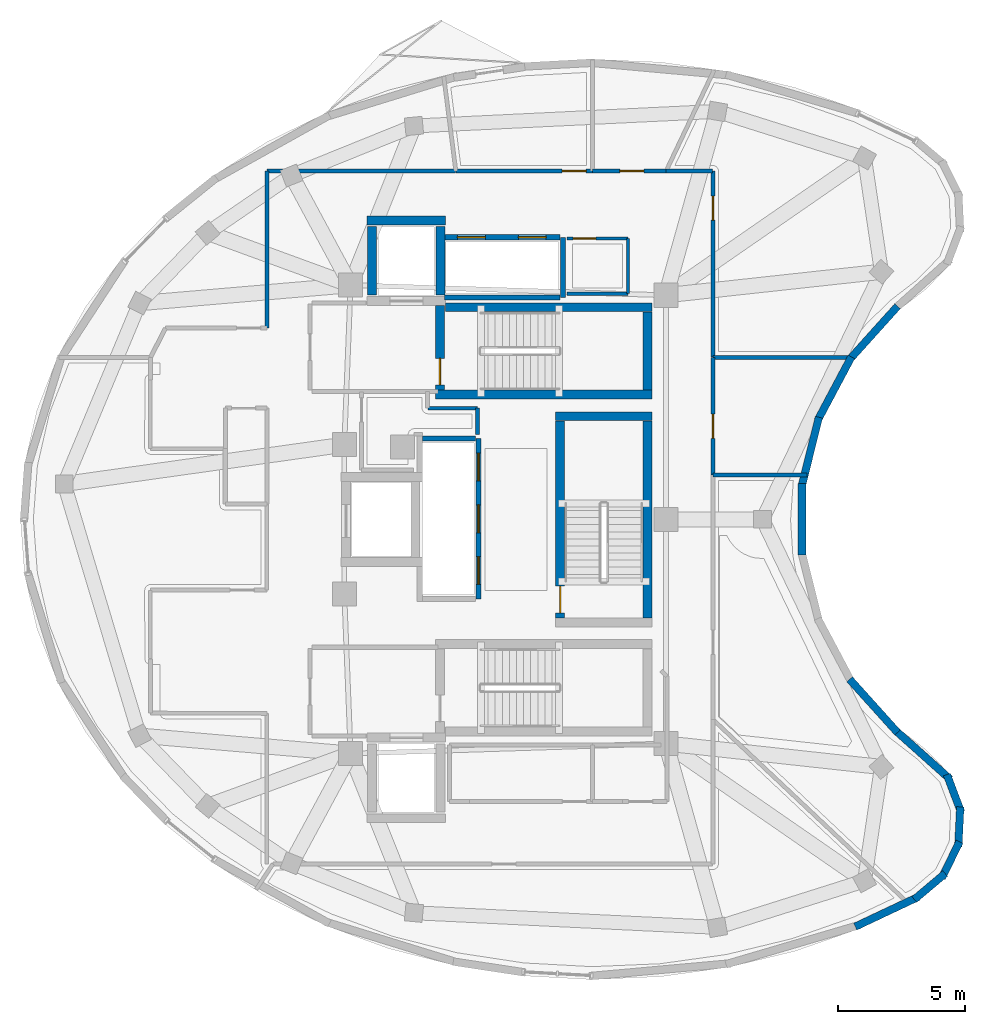
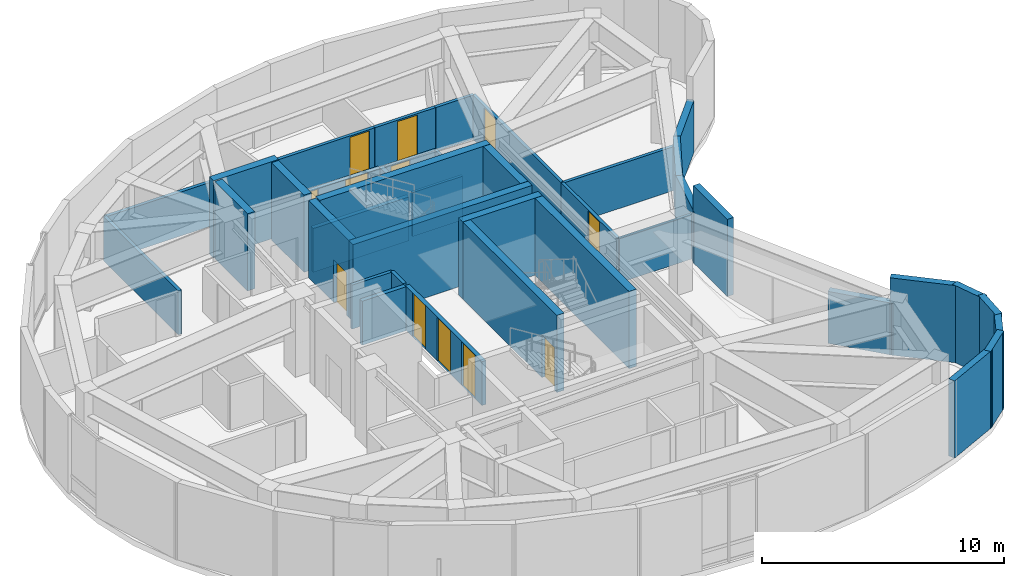
# One storey, part 5 of 8: 40 walls, 12 doors, 12 openings.
"""IFC4 building model written with IfcOpenShell, lengths in metres."""

from ifc_helpers import new_model, si_unit, direction, frame, frame_2d, origin, place, context, subcontext, project, spatial, rectangle, extrude, material, layer, layer_set, type_object, element, fill, save


model = new_model("IFC4")

# Units and contexts
model_context = context("Model", 3, precision=1e-05, world=origin(), true_north=direction((0.0, 1.0)))
body_context = subcontext(model_context, "Body", "Model", "MODEL_VIEW")
ifc_project = project(units=[si_unit("LENGTHUNIT", "METRE"), si_unit("AREAUNIT", "SQUARE_METRE"), si_unit("VOLUMEUNIT", "CUBIC_METRE"), si_unit("PLANEANGLEUNIT", "RADIAN"), si_unit("MASSUNIT", "GRAM", prefix="KILO")], contexts=[model_context])

# Site, building, storey
site_placement = place(None, origin())
site = spatial("IfcSite", under=ifc_project, at=site_placement, CompositionType="ELEMENT")
building_placement = place(site_placement, origin())
building = spatial("IfcBuilding", under=site, at=building_placement, Name="Korentha Bioscience Tower", CompositionType="ELEMENT")
storey_placement = place(building_placement, frame((0.0, 0.0, 314.39990234375)))
storey = spatial("IfcBuildingStorey", under=building, at=storey_placement, Name="L72", CompositionType="ELEMENT", Elevation=314.39990234375)

# Wall, opening, door
ifc_material_1 = material(Name="Double-Stud Acoustic Gypsum", Category="gypsum")
ifc_layer_1 = layer(ifc_material_1, 0.14990234375, Name="Double-Stud Acoustic Gypsum")
ifc_layer_set_1 = layer_set([ifc_layer_1], Name="Double-Stud Acoustic Gypsum (IW-L150)")
wall_type_1 = type_object("IfcWallType", Name="Acoustic Laboratory Partition Wall 150", PredefinedType="PARTITIONING", material=ifc_layer_set_1)
wall_1_placement = place(storey_placement, frame((39.409912109375, 28.758056640625, 0.0), z_axis=(0.0, 0.0, 1.0), x_axis=(0.0, 1.0, 0.0)))
wall_1 = element("IfcWall", 1, at=wall_1_placement, inside=storey, type_object=wall_type_1, Name="L72 Summit Keynote Symposium Room 06 Entrance Wall", PredefinedType="PARTITIONING", context=body_context, shape_type="SweptSolid", body=[
    extrude(rectangle(XDim=4.639892578125, YDim=0.14990234375, at=frame_2d((2.31982421875, 0.0))), origin(), (0.0, 0.0, 1.0), 2.22021484375),
])
opening_1_placement = place(wall_1_placement, frame((1.443359375, 0.0, 0.0)))
opening_1 = element("IfcOpeningElement", 2, at=opening_1_placement, cuts=wall_1, Name="Opening ID-10R", PredefinedType="OPENING", context=body_context, shape_type="SweptSolid", body=[
    extrude(rectangle(XDim=0.949951171875, YDim=2.14990234375, at=frame_2d((0.47509765625, 1.074951171875))), frame((0.0, 0.08984375, 0.0), z_axis=(0.0, -1.0, 0.0), x_axis=(1.0, 0.0, 0.0)), (0.0, 0.0, 1.0), 0.1796875),
])
ifc_material_2 = material(Name="Phenolic Laminate Timber Core", Category="wood")
door_type_1 = type_object("IfcDoorType", Name="Laboratory Single Leaf Door 950x2150 Right", OperationType="SINGLE_SWING_RIGHT", PredefinedType="DOOR", material=ifc_material_2)
door_1_placement = place(opening_1_placement, origin())
door_1 = element("IfcDoor", 3, at=door_1_placement, inside=storey, type_object=door_type_1, Name="L72 Summit Keynote Symposium Room 06 Door", OperationType="SINGLE_SWING_RIGHT", OverallHeight=2.14990234375, OverallWidth=0.949951171875, PredefinedType="DOOR", context=body_context, shape_type="SweptSolid", body=[
    extrude(rectangle(XDim=0.949951171875, YDim=2.14990234375, at=frame_2d((0.47509765625, 1.074951171875))), frame((0.0, 0.02490234375, 0.0), z_axis=(0.0, -1.0, 0.0), x_axis=(1.0, 0.0, 0.0)), (0.0, 0.0, 1.0), 0.050048828125),
])
fill(opening_1, door_1)

wall_2_placement = place(storey_placement, frame((39.409912109375, 33.407958984375, 0.0), z_axis=(0.0, 0.0, 1.0), x_axis=(0.0, 1.0, 0.0)))
wall_2 = element("IfcWall", 4, at=wall_2_placement, inside=storey, type_object=wall_type_1, Name="L72 VIP Horizon Reception Suite 07 Entrance Wall", PredefinedType="PARTITIONING", context=body_context, shape_type="SweptSolid", body=[
    extrude(rectangle(XDim=7.342041015625, YDim=0.14990234375, at=frame_2d((3.6708984375, 0.0))), origin(), (0.0, 0.0, 1.0), 2.22021484375),
])
opening_2_placement = place(wall_2_placement, frame((5.404541015625, 0.0, 0.0)))
opening_2 = element("IfcOpeningElement", 5, at=opening_2_placement, cuts=wall_2, Name="Opening ID-10L", PredefinedType="OPENING", context=body_context, shape_type="SweptSolid", body=[
    extrude(rectangle(XDim=0.949951171875, YDim=2.14990234375, at=frame_2d((0.47509765625, 1.074951171875))), frame((0.0, 0.08984375, 0.0), z_axis=(0.0, -1.0, 0.0), x_axis=(1.0, 0.0, 0.0)), (0.0, 0.0, 1.0), 0.1796875),
])
door_type_2 = type_object("IfcDoorType", Name="Laboratory Single Leaf Door 950x2150 Left", OperationType="SINGLE_SWING_LEFT", PredefinedType="DOOR", material=ifc_material_2)
door_2_placement = place(opening_2_placement, origin())
door_2 = element("IfcDoor", 6, at=door_2_placement, inside=storey, type_object=door_type_2, Name="L72 VIP Horizon Reception Suite 07 Door", OperationType="SINGLE_SWING_LEFT", OverallHeight=2.14990234375, OverallWidth=0.949951171875, PredefinedType="DOOR", context=body_context, shape_type="SweptSolid", body=[
    extrude(rectangle(XDim=0.949951171875, YDim=2.14990234375, at=frame_2d((0.47509765625, 1.074951171875))), frame((0.0, 0.02490234375, 0.0), z_axis=(0.0, -1.0, 0.0), x_axis=(1.0, 0.0, 0.0)), (0.0, 0.0, 1.0), 0.050048828125),
])
fill(opening_2, door_2)

wall_3_placement = place(storey_placement, frame((37.55029296875, 40.760009765625, 0.0), z_axis=(0.0, 0.0, 1.0), x_axis=(-1.0, 0.0, 0.0)))
wall_3 = element("IfcWall", 7, at=wall_3_placement, inside=storey, type_object=wall_type_1, Name="L72 Catering Warming Kitchen and Scullery 08 Entrance Wall", PredefinedType="PARTITIONING", context=body_context, shape_type="SweptSolid", body=[
    extrude(rectangle(XDim=2.898193359375, YDim=0.14990234375, at=frame_2d((1.44921875, 0.0))), origin(), (0.0, 0.0, 1.0), 2.22021484375),
])
opening_3_placement = place(wall_3_placement, frame((0.865966796875, 0.0, 0.0)))
opening_3 = element("IfcOpeningElement", 8, at=opening_3_placement, cuts=wall_3, Name="Opening ID-10R", PredefinedType="OPENING", context=body_context, shape_type="SweptSolid", body=[
    extrude(rectangle(XDim=0.949951171875, YDim=2.14990234375, at=frame_2d((0.47509765625, 1.074951171875))), frame((0.0, 0.08984375, 0.0), z_axis=(0.0, -1.0, 0.0), x_axis=(1.0, 0.0, 0.0)), (0.0, 0.0, 1.0), 0.1796875),
])
door_3_placement = place(opening_3_placement, origin())
door_3 = element("IfcDoor", 9, at=door_3_placement, inside=storey, type_object=door_type_1, Name="L72 Catering Warming Kitchen and Scullery 08 Door", OperationType="SINGLE_SWING_RIGHT", OverallHeight=2.14990234375, OverallWidth=0.949951171875, PredefinedType="DOOR", context=body_context, shape_type="SweptSolid", body=[
    extrude(rectangle(XDim=0.949951171875, YDim=2.14990234375, at=frame_2d((0.47509765625, 1.074951171875))), frame((0.0, 0.02490234375, 0.0), z_axis=(0.0, -1.0, 0.0), x_axis=(1.0, 0.0, 0.0)), (0.0, 0.0, 1.0), 0.050048828125),
])
fill(opening_3, door_3)

wall_4_placement = place(storey_placement, frame((34.64208984375, 40.760009765625, 0.0), z_axis=(0.0, 0.0, 1.0), x_axis=(-1.0, 0.0, 0.0)))
wall_4 = element("IfcWall", 10, at=wall_4_placement, inside=storey, type_object=wall_type_1, Name="L72 Observatory Souvenir & Audio-Guide Desk 09 Entrance Wall", PredefinedType="PARTITIONING", context=body_context, shape_type="SweptSolid", body=[
    extrude(rectangle(XDim=5.387451171875, YDim=0.14990234375, at=frame_2d((2.69384765625, 0.0))), origin(), (0.0, 0.0, 1.0), 2.22021484375),
])
opening_4_placement = place(wall_4_placement, frame((0.239990234375, 0.0, 0.0)))
opening_4 = element("IfcOpeningElement", 11, at=opening_4_placement, cuts=wall_4, Name="Opening ID-10L", PredefinedType="OPENING", context=body_context, shape_type="SweptSolid", body=[
    extrude(rectangle(XDim=0.949951171875, YDim=2.14990234375, at=frame_2d((0.47509765625, 1.074951171875))), frame((0.0, 0.08984375, 0.0), z_axis=(0.0, -1.0, 0.0), x_axis=(1.0, 0.0, 0.0)), (0.0, 0.0, 1.0), 0.1796875),
])
door_4_placement = place(opening_4_placement, origin())
door_4 = element("IfcDoor", 12, at=door_4_placement, inside=storey, type_object=door_type_2, Name="L72 Observatory Souvenir & Audio-Guide Desk 09 Door", OperationType="SINGLE_SWING_LEFT", OverallHeight=2.14990234375, OverallWidth=0.949951171875, PredefinedType="DOOR", context=body_context, shape_type="SweptSolid", body=[
    extrude(rectangle(XDim=0.949951171875, YDim=2.14990234375, at=frame_2d((0.47509765625, 1.074951171875))), frame((0.0, 0.02490234375, 0.0), z_axis=(0.0, -1.0, 0.0), x_axis=(1.0, 0.0, 0.0)), (0.0, 0.0, 1.0), 0.050048828125),
])
fill(opening_4, door_4)

# Walls
wall_5_placement = place(storey_placement, frame((39.409912109375, 28.748046875, 0.0), z_axis=(0.0, 0.0, 1.0), x_axis=(1.0, 0.0, 0.0)))
element("IfcWall", 13, at=wall_5_placement, inside=storey, type_object=wall_type_1, Name="L72 Interior Partition 042", PredefinedType="PARTITIONING", context=body_context, shape_type="SweptSolid", body=[
    extrude(rectangle(XDim=3.706298828125, YDim=0.14990234375, at=frame_2d((1.85302734375, 0.0))), origin(), (0.0, 0.0, 1.0), 2.22021484375),
])
wall_6_placement = place(storey_placement, frame((39.409912109375, 33.39794921875, 0.0), z_axis=(0.0, 0.0, 1.0), x_axis=(1.0, 0.0, 0.0)))
element("IfcWall", 14, at=wall_6_placement, inside=storey, type_object=wall_type_1, Name="L72 Interior Partition 043", PredefinedType="PARTITIONING", context=body_context, shape_type="SweptSolid", body=[
    extrude(rectangle(XDim=5.55517578125, YDim=0.14990234375, at=frame_2d((2.777587890625, 0.0))), origin(), (0.0, 0.0, 1.0), 2.22021484375),
])
wall_7_placement = place(storey_placement, frame((39.39990234375, 40.760009765625, 0.0), z_axis=(0.0, 0.0, 1.0), x_axis=(-1.0, 0.0, 0.0)))
element("IfcWall", 15, at=wall_7_placement, inside=storey, type_object=wall_type_1, Name="L72 Interior Partition 044", PredefinedType="PARTITIONING", context=body_context, shape_type="SweptSolid", body=[
    extrude(rectangle(XDim=1.839599609375, YDim=0.14990234375, at=frame_2d((0.919921875, 0.0))), origin(), (0.0, 0.0, 1.0), 2.22021484375),
])
wall_8_placement = place(storey_placement, frame((28.14990234375, 31.389892578125, 0.0), z_axis=(0.0, 0.0, 1.0), x_axis=(1.0, 0.0, 0.0)))
element("IfcWall", 16, at=wall_8_placement, inside=storey, type_object=wall_type_1, Name="L72 Interior Partition 052", PredefinedType="PARTITIONING", context=body_context, shape_type="SweptSolid", body=[
    extrude(rectangle(XDim=1.960205078125, YDim=0.14990234375, at=frame_2d((0.97998046875, 0.0))), origin(), (0.0, 0.0, 1.0), 2.22021484375),
])
wall_9_placement = place(storey_placement, frame((30.110107421875, 31.389892578125, 0.0), z_axis=(0.0, 0.0, 1.0), x_axis=(0.0, -1.0, 0.0)))
element("IfcWall", 17, at=wall_9_placement, inside=storey, type_object=wall_type_1, Name="L72 Interior Partition 053", PredefinedType="PARTITIONING", context=body_context, shape_type="SweptSolid", body=[
    extrude(rectangle(XDim=1.02978515625, YDim=0.14990234375, at=frame_2d((0.514892578125, 0.0))), origin(), (0.0, 0.0, 1.0), 2.22021484375),
])
ifc_material_3 = material(Name="Gypsum-Clad Steel Stud", Category="steel")
ifc_layer_2 = layer(ifc_material_3, 0.159912109375, Name="Gypsum-Clad Steel Stud")
ifc_layer_set_2 = layer_set([ifc_layer_2], Name="Gypsum-Clad Steel Stud (IW-C160)")
wall_type_2 = type_object("IfcWallType", Name="Fire-Rated Corridor Partition Wall 160", PredefinedType="PARTITIONING", material=ifc_layer_set_2)
wall_10_placement = place(storey_placement, frame((29.24462890625, 40.760009765625, 0.0), z_axis=(0.0, 0.0, 1.0), x_axis=(-1.0, 0.0, 0.0)))
element("IfcWall", 18, at=wall_10_placement, inside=storey, type_object=wall_type_2, Name="L72 Interior Partition 048", PredefinedType="PARTITIONING", context=body_context, shape_type="SweptSolid", body=[
    extrude(rectangle(XDim=7.444580078125, YDim=0.159912109375, at=frame_2d((3.72216796875, 0.0))), origin(), (0.0, 0.0, 1.0), 2.22021484375),
])
wall_11_placement = place(storey_placement, frame((21.7900390625, 40.75, 0.0), z_axis=(0.0, 0.0, 1.0), x_axis=(0.0, -1.0, 0.0)))
element("IfcWall", 19, at=wall_11_placement, inside=storey, type_object=wall_type_2, Name="L72 Interior Partition 049", PredefinedType="PARTITIONING", context=body_context, shape_type="SweptSolid", body=[
    extrude(rectangle(XDim=6.18994140625, YDim=0.159912109375, at=frame_2d((3.094970703125, 0.0))), origin(), (0.0, 0.0, 1.0), 2.22021484375),
])
ifc_material_4 = material(Name="Honed Limestone Precast Concrete C40", Category="masonry")
ifc_layer_3 = layer(ifc_material_4, 0.300048828125, Name="Honed Limestone Precast Concrete C40")
ifc_layer_set_3 = layer_set([ifc_layer_3], Name="Honed Limestone Precast Concrete C40 (EW-ST300)")
wall_type_3 = type_object("IfcWallType", Name="Honed Limestone Cavity Spandrel Wall 300", PredefinedType="STANDARD", material=ifc_layer_set_3)
wall_12_placement = place(storey_placement, frame((45.027587890625, 10.917236328125, 0.0), z_axis=(0.0, 0.0, 1.0), x_axis=(0.904397474905, 0.426690997545, 0.0)))
element("IfcWall", 20, at=wall_12_placement, inside=storey, type_object=wall_type_3, Name="L72 Limestone Perimeter Closure Wall 36", PredefinedType="STANDARD", context=body_context, shape_type="SweptSolid", body=[
    extrude(rectangle(XDim=2.76123046875, YDim=0.300048828125, at=frame_2d((1.380615234375, 0.0))), origin(), (0.0, 0.0, 1.0), 3.900146484375),
])
for number, where, z_axis, x_axis, name in (
    (21, (47.361083984375, 11.990234375, 0.0), (0.0, 0.0, 1.0), (0.764911198117, 0.644135745783, 0.0), "L72 Limestone Perimeter Closure Wall 37"),
    (22, (48.444580078125, 12.845703125, 0.0), (0.0, 0.0, 1.0), (0.444199538262, 0.895927882258, 0.0), "L72 Limestone Perimeter Closure Wall 38"),
    (23, (49.096435546875, 14.0625, 0.0), (0.0, 0.0, 1.0), (0.04947778803, 0.998775224208, 0.0), "L72 Limestone Perimeter Closure Wall 39"),
    (24, (49.208251953125, 15.438232421875, 0.0), (0.0, 0.0, 1.0), (-0.353546976078, 0.935416771127, 0.0), "L72 Limestone Perimeter Closure Wall 40"),
):
    element("IfcWall", number, at=place(storey_placement, frame(where, z_axis=z_axis, x_axis=x_axis)), inside=storey, type_object=wall_type_3, Name=name, PredefinedType="STANDARD", context=body_context, shape_type="SweptSolid", body=[
        extrude(rectangle(XDim=1.5888671875, YDim=0.300048828125, at=frame_2d((0.79443359375, 0.0))), origin(), (0.0, 0.0, 1.0), 3.900146484375),
    ])
wall_13_placement = place(storey_placement, frame((48.772216796875, 16.74169921875, 0.0), z_axis=(0.0, 0.0, 1.0), x_axis=(-0.745805540728, 0.666163715178, 0.0)))
element("IfcWall", 25, at=wall_13_placement, inside=storey, type_object=wall_type_3, Name="L72 Limestone Perimeter Closure Wall 41", PredefinedType="STANDARD", context=body_context, shape_type="SweptSolid", body=[
    extrude(rectangle(XDim=2.91845703125, YDim=0.300048828125, at=frame_2d((1.459228515625, 0.0))), origin(), (0.0, 0.0, 1.0), 3.900146484375),
])
wall_14_placement = place(storey_placement, frame((46.697998046875, 18.583984375, 0.0), z_axis=(0.0, 0.0, 1.0), x_axis=(-0.66919836837, 0.743083806694, 0.0)))
element("IfcWall", 26, at=wall_14_placement, inside=storey, type_object=wall_type_3, Name="L72 Limestone Perimeter Closure Wall 43", PredefinedType="STANDARD", context=body_context, shape_type="SweptSolid", body=[
    extrude(rectangle(XDim=2.82861328125, YDim=0.300048828125, at=frame_2d((1.414306640625, 0.0))), origin(), (0.0, 0.0, 1.0), 2.625),
])
wall_15_placement = place(storey_placement, frame((42.92431640625, 25.585693359375, 0.0), z_axis=(0.0, 0.0, 1.0), x_axis=(0.0, 1.0, 0.0)))
element("IfcWall", 27, at=wall_15_placement, inside=storey, type_object=wall_type_3, Name="L72 Limestone Perimeter Closure Wall 49", PredefinedType="STANDARD", context=body_context, shape_type="SweptSolid", body=[
    extrude(rectangle(XDim=2.82861328125, YDim=0.300048828125, at=frame_2d((1.414306640625, 0.0))), origin(), (0.0, 0.0, 1.0), 3.900146484375),
])
for number, where, z_axis, x_axis, name in (
    (28, (42.9091796875, 28.29052734375, 0.0), (0.0, 0.0, 1.0), (0.241926331659, 0.970294620231, 0.0), "L72 Limestone Perimeter Closure Wall 51"),
    (29, (43.548828125, 30.918701171875, 0.0), (0.0, 0.0, 1.0), (0.469445489529, 0.882961455761, 0.0), "L72 Limestone Perimeter Closure Wall 53"),
    (30, (44.80517578125, 33.314208984375, 0.0), (0.0, 0.0, 1.0), (0.66919836837, 0.743083806694, 0.0), "L72 Limestone Perimeter Closure Wall 55"),
):
    element("IfcWall", number, at=place(storey_placement, frame(where, z_axis=z_axis, x_axis=x_axis)), inside=storey, type_object=wall_type_3, Name=name, PredefinedType="STANDARD", context=body_context, shape_type="SweptSolid", body=[
        extrude(rectangle(XDim=2.82861328125, YDim=0.300048828125, at=frame_2d((1.414306640625, 0.0))), origin(), (0.0, 0.0, 1.0), 2.625),
    ])

# Wall, openings, doors
ifc_material_5 = material(Name="Autoclaved Aerated Concrete Block C25", Category="concrete")
ifc_layer_4 = layer(ifc_material_5, 0.199951171875, Name="Autoclaved Aerated Concrete Block C25")
ifc_layer_set_4 = layer_set([ifc_layer_4], Name="Autoclaved Aerated Concrete Block C25 (IW-S200)")
wall_type_4 = type_object("IfcWallType", Name="Lift and Riser Shaft Enclosure Wall 200", PredefinedType="PARTITIONING", material=ifc_layer_set_4)
wall_16_placement = place(storey_placement, frame((30.14990234375, 23.85009765625, 0.0), z_axis=(0.0, 0.0, 1.0), x_axis=(0.0, 1.0, 0.0)))
wall_16 = element("IfcWall", 31, at=wall_16_placement, inside=storey, type_object=wall_type_4, Name="L72 Lift Bank HIGH Shaft Wall +X", PredefinedType="PARTITIONING", context=body_context, shape_type="SweptSolid", body=[
    extrude(rectangle(XDim=6.349853515625, YDim=0.199951171875, at=frame_2d((3.1748046875, 0.0))), origin(), (0.0, 0.0, 1.0), 2.22021484375),
])
opening_5_placement = place(wall_16_placement, frame((0.580078125, 0.0, 0.0)))
opening_5 = element("IfcOpeningElement", 32, at=opening_5_placement, cuts=wall_16, Name="Opening LD-11", PredefinedType="OPENING", context=body_context, shape_type="SweptSolid", body=[
    extrude(rectangle(XDim=1.10009765625, YDim=2.199951171875, at=frame_2d((0.550048828125, 1.10009765625))), frame((0.0, 0.11474609375, 0.0), z_axis=(0.0, -1.0, 0.0), x_axis=(1.0, 0.0, 0.0)), (0.0, 0.0, 1.0), 0.229736328125),
])
opening_6_placement = place(wall_16_placement, frame((2.6201171875, 0.0, 0.0)))
opening_6 = element("IfcOpeningElement", 33, at=opening_6_placement, cuts=wall_16, Name="Opening LD-11", PredefinedType="OPENING", context=body_context, shape_type="SweptSolid", body=[
    extrude(rectangle(XDim=1.10009765625, YDim=2.199951171875, at=frame_2d((0.550048828125, 1.10009765625))), frame((0.0, 0.11474609375, 0.0), z_axis=(0.0, -1.0, 0.0), x_axis=(1.0, 0.0, 0.0)), (0.0, 0.0, 1.0), 0.229736328125),
])
opening_7_placement = place(wall_16_placement, frame((4.669921875, 0.0, 0.0)))
opening_7 = element("IfcOpeningElement", 34, at=opening_7_placement, cuts=wall_16, Name="Opening LD-11", PredefinedType="OPENING", context=body_context, shape_type="SweptSolid", body=[
    extrude(rectangle(XDim=1.10009765625, YDim=2.199951171875, at=frame_2d((0.550048828125, 1.10009765625))), frame((0.0, 0.11474609375, 0.0), z_axis=(0.0, -1.0, 0.0), x_axis=(1.0, 0.0, 0.0)), (0.0, 0.0, 1.0), 0.229736328125),
])
ifc_material_6 = material(Name="Brushed Stainless Steel 304", Category="steel")
door_type_3 = type_object("IfcDoorType", Name="Passenger Lift Sliding Landing Door 1100x2200", OperationType="DOUBLE_DOOR_SLIDING", PredefinedType="DOOR", material=ifc_material_6)
door_5_placement = place(opening_5_placement, origin())
door_5 = element("IfcDoor", 35, at=door_5_placement, inside=storey, type_object=door_type_3, Name="L72 PL-H1 Sliding Lift Landing Door", OperationType="DOUBLE_DOOR_SLIDING", OverallHeight=2.199951171875, OverallWidth=1.10009765625, PredefinedType="DOOR", context=body_context, shape_type="SweptSolid", body=[
    extrude(rectangle(XDim=1.10009765625, YDim=2.199951171875, at=frame_2d((0.550048828125, 1.10009765625))), frame((0.0, 0.02490234375, 0.0), z_axis=(0.0, -1.0, 0.0), x_axis=(1.0, 0.0, 0.0)), (0.0, 0.0, 1.0), 0.050048828125),
])
fill(opening_5, door_5)
door_6_placement = place(opening_6_placement, origin())
door_6 = element("IfcDoor", 36, at=door_6_placement, inside=storey, type_object=door_type_3, Name="L72 PL-H2 Sliding Lift Landing Door", OperationType="DOUBLE_DOOR_SLIDING", OverallHeight=2.199951171875, OverallWidth=1.10009765625, PredefinedType="DOOR", context=body_context, shape_type="SweptSolid", body=[
    extrude(rectangle(XDim=1.10009765625, YDim=2.199951171875, at=frame_2d((0.550048828125, 1.10009765625))), frame((0.0, 0.02490234375, 0.0), z_axis=(0.0, -1.0, 0.0), x_axis=(1.0, 0.0, 0.0)), (0.0, 0.0, 1.0), 0.050048828125),
])
fill(opening_6, door_6)
door_7_placement = place(opening_7_placement, origin())
door_7 = element("IfcDoor", 37, at=door_7_placement, inside=storey, type_object=door_type_3, Name="L72 PL-H3 Sliding Lift Landing Door", OperationType="DOUBLE_DOOR_SLIDING", OverallHeight=2.199951171875, OverallWidth=1.10009765625, PredefinedType="DOOR", context=body_context, shape_type="SweptSolid", body=[
    extrude(rectangle(XDim=1.10009765625, YDim=2.199951171875, at=frame_2d((0.550048828125, 1.10009765625))), frame((0.0, 0.02490234375, 0.0), z_axis=(0.0, -1.0, 0.0), x_axis=(1.0, 0.0, 0.0)), (0.0, 0.0, 1.0), 0.050048828125),
])
fill(opening_7, door_7)

# Walls
wall_17_placement = place(storey_placement, frame((27.93408203125, 30.199951171875, 0.0), z_axis=(0.0, 0.0, 1.0), x_axis=(1.0, 0.0, 0.0)))
element("IfcWall", 38, at=wall_17_placement, inside=storey, type_object=wall_type_4, Name="L72 Lift Bank HIGH Shaft Wall +Y", PredefinedType="PARTITIONING", context=body_context, shape_type="SweptSolid", body=[
    extrude(rectangle(XDim=2.095947265625, YDim=0.199951171875, at=frame_2d((1.0478515625, 0.0))), origin(), (0.0, 0.0, 1.0), 2.22021484375),
])
wall_18_placement = place(storey_placement, frame((33.489990234375, 35.760009765625, 0.0), z_axis=(0.0, 0.0, 1.0), x_axis=(0.0, 1.0, 0.0)))
element("IfcWall", 39, at=wall_18_placement, inside=storey, type_object=wall_type_4, Name="L72 Lift Bank OBS Shaft Wall +X", PredefinedType="PARTITIONING", context=body_context, shape_type="SweptSolid", body=[
    extrude(rectangle(XDim=2.3798828125, YDim=0.199951171875, at=frame_2d((1.18994140625, 0.0))), origin(), (0.0, 0.0, 1.0), 2.22021484375),
])
wall_19_placement = place(storey_placement, frame((28.800048828125, 35.760009765625, 0.0), z_axis=(0.0, 0.0, 1.0), x_axis=(1.0, 0.0, 0.0)))
element("IfcWall", 40, at=wall_19_placement, inside=storey, type_object=wall_type_4, Name="L72 Lift Bank OBS Shaft Wall -Y", PredefinedType="PARTITIONING", context=body_context, shape_type="SweptSolid", body=[
    extrude(rectangle(XDim=4.570068359375, YDim=0.199951171875, at=frame_2d((2.28515625, 0.0))), origin(), (0.0, 0.0, 1.0), 2.22021484375),
])

# Wall, openings, doors
wall_20_placement = place(storey_placement, frame((28.800048828125, 38.139892578125, 0.0), z_axis=(0.0, 0.0, 1.0), x_axis=(1.0, 0.0, 0.0)))
wall_20 = element("IfcWall", 41, at=wall_20_placement, inside=storey, type_object=wall_type_4, Name="L72 Lift Bank OBS Shaft Wall +Y", PredefinedType="PARTITIONING", context=body_context, shape_type="SweptSolid", body=[
    extrude(rectangle(XDim=4.570068359375, YDim=0.199951171875, at=frame_2d((2.28515625, 0.0))), origin(), (0.0, 0.0, 1.0), 2.22021484375),
])
opening_8_placement = place(wall_20_placement, frame((0.52001953125, 0.0, 0.0)))
opening_8 = element("IfcOpeningElement", 42, at=opening_8_placement, cuts=wall_20, Name="Opening LD-11", PredefinedType="OPENING", context=body_context, shape_type="SweptSolid", body=[
    extrude(rectangle(XDim=1.10009765625, YDim=2.199951171875, at=frame_2d((0.550048828125, 1.10009765625))), frame((0.0, 0.11474609375, 0.0), z_axis=(0.0, -1.0, 0.0), x_axis=(1.0, 0.0, 0.0)), (0.0, 0.0, 1.0), 0.229736328125),
])
opening_9_placement = place(wall_20_placement, frame((2.919921875, 0.0, 0.0)))
opening_9 = element("IfcOpeningElement", 43, at=opening_9_placement, cuts=wall_20, Name="Opening LD-11", PredefinedType="OPENING", context=body_context, shape_type="SweptSolid", body=[
    extrude(rectangle(XDim=1.10009765625, YDim=2.199951171875, at=frame_2d((0.550048828125, 1.10009765625))), frame((0.0, 0.11474609375, 0.0), z_axis=(0.0, -1.0, 0.0), x_axis=(1.0, 0.0, 0.0)), (0.0, 0.0, 1.0), 0.229736328125),
])
door_8_placement = place(opening_8_placement, origin())
door_8 = element("IfcDoor", 44, at=door_8_placement, inside=storey, type_object=door_type_3, Name="L72 PL-X1 Sliding Lift Landing Door", OperationType="DOUBLE_DOOR_SLIDING", OverallHeight=2.199951171875, OverallWidth=1.10009765625, PredefinedType="DOOR", context=body_context, shape_type="SweptSolid", body=[
    extrude(rectangle(XDim=1.10009765625, YDim=2.199951171875, at=frame_2d((0.550048828125, 1.10009765625))), frame((0.0, 0.02490234375, 0.0), z_axis=(0.0, -1.0, 0.0), x_axis=(1.0, 0.0, 0.0)), (0.0, 0.0, 1.0), 0.050048828125),
])
fill(opening_8, door_8)
door_9_placement = place(opening_9_placement, origin())
door_9 = element("IfcDoor", 45, at=door_9_placement, inside=storey, type_object=door_type_3, Name="L72 PL-X2 Sliding Lift Landing Door", OperationType="DOUBLE_DOOR_SLIDING", OverallHeight=2.199951171875, OverallWidth=1.10009765625, PredefinedType="DOOR", context=body_context, shape_type="SweptSolid", body=[
    extrude(rectangle(XDim=1.10009765625, YDim=2.199951171875, at=frame_2d((0.550048828125, 1.10009765625))), frame((0.0, 0.02490234375, 0.0), z_axis=(0.0, -1.0, 0.0), x_axis=(1.0, 0.0, 0.0)), (0.0, 0.0, 1.0), 0.050048828125),
])
fill(opening_9, door_9)

# Walls
ifc_material_7 = material(Name="Concrete C50", Category="concrete")
ifc_layer_5 = layer(ifc_material_7, 0.35009765625, Name="Concrete C50")
ifc_layer_set_5 = layer_set([ifc_layer_5], Name="Concrete C50 (CW-C50)")
wall_type_5 = type_object("IfcWallType", Name="Upper Core Shear Wall 350", PredefinedType="SHEAR", material=ifc_layer_set_5)
wall_21_placement = place(storey_placement, frame((28.85205078125, 35.375, 0.0), z_axis=(0.0, 0.0, 1.0), x_axis=(1.0, 0.0, 0.0)))
element("IfcWall", 46, at=wall_21_placement, inside=storey, type_object=wall_type_5, Name="L72 Core Shear Wall ST1-N", PredefinedType="SHEAR", context=body_context, shape_type="SweptSolid", body=[
    extrude(rectangle(XDim=8.14794921875, YDim=0.35009765625, at=frame_2d((4.073974609375, 0.0))), origin(), (0.0, 0.0, 1.0), 3.900146484375),
])
wall_22_placement = place(storey_placement, frame((28.449951171875, 31.925048828125, 0.0), z_axis=(0.0, 0.0, 1.0), x_axis=(1.0, 0.0, 0.0)))
element("IfcWall", 47, at=wall_22_placement, inside=storey, type_object=wall_type_5, Name="L72 Core Shear Wall ST1-S", PredefinedType="SHEAR", context=body_context, shape_type="SweptSolid", body=[
    extrude(rectangle(XDim=8.550048828125, YDim=0.35009765625, at=frame_2d((4.27490234375, 0.0))), origin(), (0.0, 0.0, 1.0), 3.900146484375),
])
wall_23_placement = place(storey_placement, frame((36.824951171875, 32.110107421875, 0.0), z_axis=(0.0, 0.0, 1.0), x_axis=(0.0, 1.0, 0.0)))
element("IfcWall", 48, at=wall_23_placement, inside=storey, type_object=wall_type_5, Name="L72 Core Shear Wall ST1-E", PredefinedType="SHEAR", context=body_context, shape_type="SweptSolid", body=[
    extrude(rectangle(XDim=3.079833984375, YDim=0.35009765625, at=frame_2d((1.5400390625, 0.0))), origin(), (0.0, 0.0, 1.0), 3.900146484375),
])

# Wall, opening, door
wall_24_placement = place(storey_placement, frame((28.625, 32.110107421875, 0.0), z_axis=(0.0, 0.0, 1.0), x_axis=(0.0, 1.0, 0.0)))
wall_24 = element("IfcWall", 49, at=wall_24_placement, inside=storey, type_object=wall_type_5, Name="L72 Core Shear Wall ST1-W", PredefinedType="SHEAR", context=body_context, shape_type="SweptSolid", body=[
    extrude(rectangle(XDim=3.3330078125, YDim=0.35009765625, at=frame_2d((1.66650390625, 0.0))), origin(), (0.0, 0.0, 1.0), 3.900146484375),
])
opening_10_placement = place(wall_24_placement, frame((0.199951171875, 0.0, 0.0)))
opening_10 = element("IfcOpeningElement", 50, at=opening_10_placement, cuts=wall_24, Name="Opening FD-90L", PredefinedType="OPENING", context=body_context, shape_type="SweptSolid", body=[
    extrude(rectangle(XDim=1.050048828125, YDim=2.14990234375, at=frame_2d((0.52490234375, 1.074951171875))), frame((0.0, 0.18994140625, 0.0), z_axis=(0.0, -1.0, 0.0), x_axis=(1.0, 0.0, 0.0)), (0.0, 0.0, 1.0), 0.3798828125),
])
ifc_material_8 = material(Name="Powder-Coated Fire-Rated Steel", Category="steel")
door_type_4 = type_object("IfcDoorType", Name="Stairwell Fire Exit Door 1050x2150 Left", OperationType="SINGLE_SWING_LEFT", PredefinedType="DOOR", material=ifc_material_8)
door_10_placement = place(opening_10_placement, origin())
door_10 = element("IfcDoor", 51, at=door_10_placement, inside=storey, type_object=door_type_4, Name="L72 ST-1 Fire Exit Stair Door", OperationType="SINGLE_SWING_LEFT", OverallHeight=2.14990234375, OverallWidth=1.050048828125, PredefinedType="DOOR", context=body_context, shape_type="SweptSolid", body=[
    extrude(rectangle(XDim=1.050048828125, YDim=2.14990234375, at=frame_2d((0.52490234375, 1.074951171875))), frame((0.0, 0.02490234375, 0.0), z_axis=(0.0, -1.0, 0.0), x_axis=(1.0, 0.0, 0.0)), (0.0, 0.0, 1.0), 0.050048828125),
])
fill(opening_10, door_10)

# Walls
wall_25_placement = place(storey_placement, frame((33.199951171875, 31.074951171875, 0.0), z_axis=(0.0, 0.0, 1.0), x_axis=(1.0, 0.0, 0.0)))
element("IfcWall", 52, at=wall_25_placement, inside=storey, type_object=wall_type_5, Name="L72 Core Shear Wall ST3-N", PredefinedType="SHEAR", context=body_context, shape_type="SweptSolid", body=[
    extrude(rectangle(XDim=3.800048828125, YDim=0.35009765625, at=frame_2d((1.89990234375, 0.0))), origin(), (0.0, 0.0, 1.0), 3.900146484375),
])
wall_26_placement = place(storey_placement, frame((36.824951171875, 23.110107421875, 0.0), z_axis=(0.0, 0.0, 1.0), x_axis=(0.0, 1.0, 0.0)))
element("IfcWall", 53, at=wall_26_placement, inside=storey, type_object=wall_type_5, Name="L72 Core Shear Wall ST3-E", PredefinedType="SHEAR", context=body_context, shape_type="SweptSolid", body=[
    extrude(rectangle(XDim=7.77978515625, YDim=0.35009765625, at=frame_2d((3.889892578125, 0.0))), origin(), (0.0, 0.0, 1.0), 3.900146484375),
])

# Wall, opening, door
wall_27_placement = place(storey_placement, frame((33.375, 23.110107421875, 0.0), z_axis=(0.0, 0.0, 1.0), x_axis=(0.0, 1.0, 0.0)))
wall_27 = element("IfcWall", 54, at=wall_27_placement, inside=storey, type_object=wall_type_5, Name="L72 Core Shear Wall ST3-W", PredefinedType="SHEAR", context=body_context, shape_type="SweptSolid", body=[
    extrude(rectangle(XDim=7.77978515625, YDim=0.35009765625, at=frame_2d((3.889892578125, 0.0))), origin(), (0.0, 0.0, 1.0), 3.900146484375),
])
opening_11_placement = place(wall_27_placement, frame((0.199951171875, 0.0, 0.0)))
opening_11 = element("IfcOpeningElement", 55, at=opening_11_placement, cuts=wall_27, Name="Opening FD-90L", PredefinedType="OPENING", context=body_context, shape_type="SweptSolid", body=[
    extrude(rectangle(XDim=1.050048828125, YDim=2.14990234375, at=frame_2d((0.52490234375, 1.074951171875))), frame((0.0, 0.18994140625, 0.0), z_axis=(0.0, -1.0, 0.0), x_axis=(1.0, 0.0, 0.0)), (0.0, 0.0, 1.0), 0.3798828125),
])
door_11_placement = place(opening_11_placement, origin())
door_11 = element("IfcDoor", 56, at=door_11_placement, inside=storey, type_object=door_type_4, Name="L72 ST-3 Fire Exit Stair Door", OperationType="SINGLE_SWING_LEFT", OverallHeight=2.14990234375, OverallWidth=1.050048828125, PredefinedType="DOOR", context=body_context, shape_type="SweptSolid", body=[
    extrude(rectangle(XDim=1.050048828125, YDim=2.14990234375, at=frame_2d((0.52490234375, 1.074951171875))), frame((0.0, 0.02490234375, 0.0), z_axis=(0.0, -1.0, 0.0), x_axis=(1.0, 0.0, 0.0)), (0.0, 0.0, 1.0), 0.050048828125),
])
fill(opening_11, door_11)

# Walls
wall_28_placement = place(storey_placement, frame((25.75, 38.800048828125, 0.0), z_axis=(0.0, 0.0, 1.0), x_axis=(1.0, 0.0, 0.0)))
element("IfcWall", 57, at=wall_28_placement, inside=storey, type_object=wall_type_5, Name="L72 Core Shear Wall FFL2-N", PredefinedType="SHEAR", context=body_context, shape_type="SweptSolid", body=[
    extrude(rectangle(XDim=3.10009765625, YDim=0.35009765625, at=frame_2d((1.550048828125, 0.0))), origin(), (0.0, 0.0, 1.0), 3.900146484375),
])
for number, where, z_axis, x_axis, name in (
    (58, (25.949951171875, 35.860107421875, 0.0), (0.0, 0.0, 1.0), (0.0, 1.0, 0.0), "L72 Core Shear Wall FFL2-W"),
    (59, (28.64990234375, 35.860107421875, 0.0), (0.0, 0.0, 1.0), (0.0, 1.0, 0.0), "L72 Core Shear Wall FFL2-E"),
):
    element("IfcWall", number, at=place(storey_placement, frame(where, z_axis=z_axis, x_axis=x_axis)), inside=storey, type_object=wall_type_5, Name=name, PredefinedType="SHEAR", context=body_context, shape_type="SweptSolid", body=[
        extrude(rectangle(XDim=2.699951171875, YDim=0.35009765625, at=frame_2d((1.35009765625, 0.0))), origin(), (0.0, 0.0, 1.0), 3.900146484375),
    ])

# Wall, opening, door
ifc_material_9 = material(Name="Cement-Board Steel Stud", Category="steel")
ifc_layer_6 = layer(ifc_material_9, 0.1298828125, Name="Cement-Board Steel Stud")
ifc_layer_set_6 = layer_set([ifc_layer_6], Name="Cement-Board Steel Stud (IW-W130)")
wall_type_6 = type_object("IfcWallType", Name="Wet-Area Moisture-Resistant Partition 130", PredefinedType="PARTITIONING", material=ifc_layer_set_6)
wall_29_placement = place(storey_placement, frame((33.64990234375, 38.090087890625, 0.0), z_axis=(0.0, 0.0, 1.0), x_axis=(1.0, 0.0, 0.0)))
wall_29 = element("IfcWall", 60, at=wall_29_placement, inside=storey, type_object=wall_type_6, Name="L72 Accessible Staff WC Entrance Wall", PredefinedType="PARTITIONING", context=body_context, shape_type="SweptSolid", body=[
    extrude(rectangle(XDim=2.400146484375, YDim=0.1298828125, at=frame_2d((1.2001953125, 0.0))), origin(), (0.0, 0.0, 1.0), 2.22021484375),
])
opening_12_placement = place(wall_29_placement, frame((0.239990234375, 0.0, 0.0)))
opening_12 = element("IfcOpeningElement", 61, at=opening_12_placement, cuts=wall_29, Name="Opening ID-09L", PredefinedType="OPENING", context=body_context, shape_type="SweptSolid", body=[
    extrude(rectangle(XDim=0.89990234375, YDim=2.14990234375, at=frame_2d((0.449951171875, 1.074951171875))), frame((0.0, 0.079833984375, 0.0), z_axis=(0.0, -1.0, 0.0), x_axis=(1.0, 0.0, 0.0)), (0.0, 0.0, 1.0), 0.15966796875),
])
ifc_material_10 = material(Name="Moisture-Resistant HPL Leaf", Category="wood")
door_type_5 = type_object("IfcDoorType", Name="Restroom & Accessible WC Door 900x2150 Left", OperationType="SINGLE_SWING_LEFT", PredefinedType="DOOR", material=ifc_material_10)
door_12_placement = place(opening_12_placement, origin())
door_12 = element("IfcDoor", 62, at=door_12_placement, inside=storey, type_object=door_type_5, Name="L72 Accessible Staff WC Door", OperationType="SINGLE_SWING_LEFT", OverallHeight=2.14990234375, OverallWidth=0.89990234375, PredefinedType="DOOR", context=body_context, shape_type="SweptSolid", body=[
    extrude(rectangle(XDim=0.89990234375, YDim=2.14990234375, at=frame_2d((0.449951171875, 1.074951171875))), frame((0.0, 0.02490234375, 0.0), z_axis=(0.0, -1.0, 0.0), x_axis=(1.0, 0.0, 0.0)), (0.0, 0.0, 1.0), 0.050048828125),
])
fill(opening_12, door_12)

# Walls
wall_30_placement = place(storey_placement, frame((36.050048828125, 35.909912109375, 0.0), z_axis=(0.0, 0.0, 1.0), x_axis=(-1.0, 0.0, 0.0)))
element("IfcWall", 63, at=wall_30_placement, inside=storey, type_object=wall_type_6, Name="L72 Interior Partition 014", PredefinedType="PARTITIONING", context=body_context, shape_type="SweptSolid", body=[
    extrude(rectangle(XDim=2.400146484375, YDim=0.1298828125, at=frame_2d((1.2001953125, 0.0))), origin(), (0.0, 0.0, 1.0), 2.22021484375),
])
wall_31_placement = place(storey_placement, frame((36.050048828125, 38.090087890625, 0.0), z_axis=(0.0, 0.0, 1.0), x_axis=(0.0, -1.0, 0.0)))
element("IfcWall", 64, at=wall_31_placement, inside=storey, type_object=wall_type_6, Name="L72 Interior Partition 015", PredefinedType="PARTITIONING", context=body_context, shape_type="SweptSolid", body=[
    extrude(rectangle(XDim=2.18017578125, YDim=0.1298828125, at=frame_2d((1.090087890625, 0.0))), origin(), (0.0, 0.0, 1.0), 2.22021484375),
])

save(model, "model.ifc")
